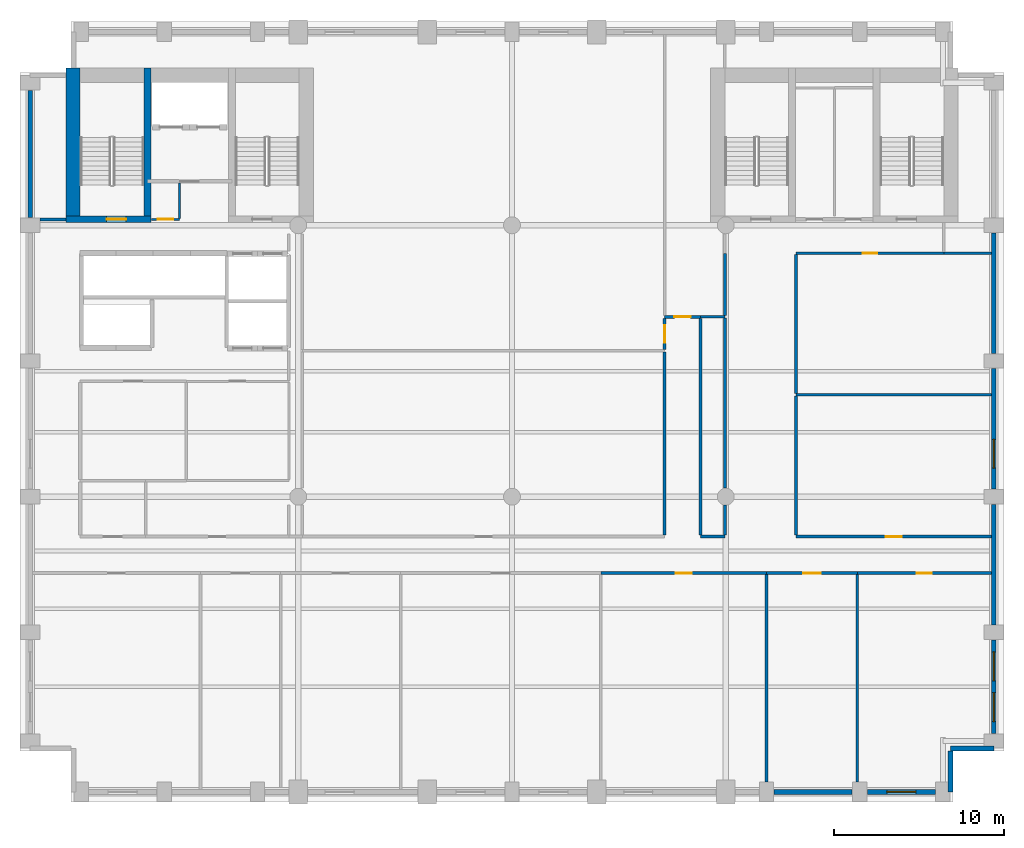
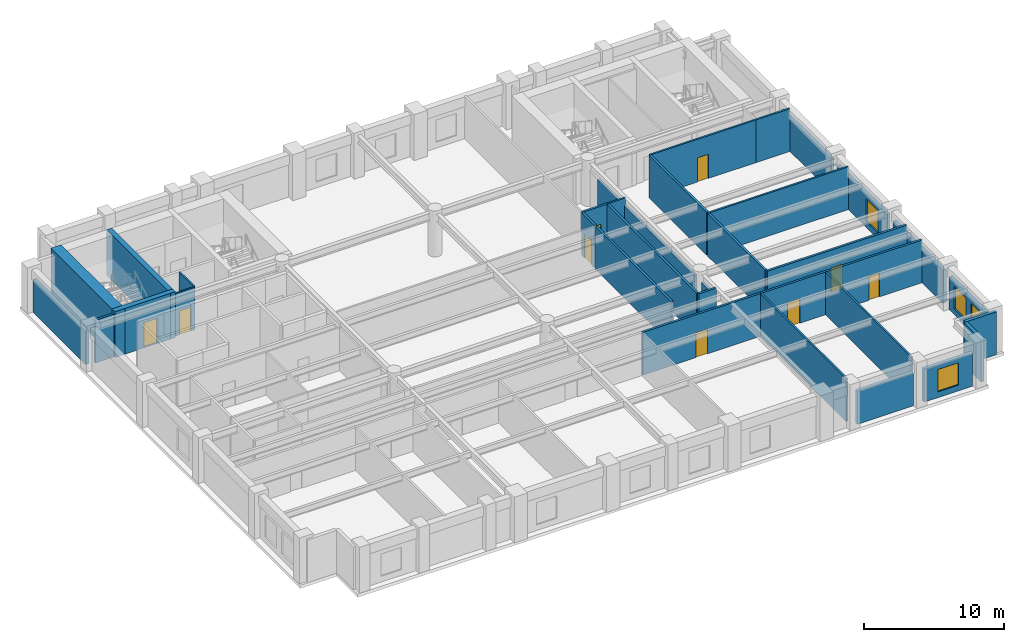
# One storey, part 4 of 8: 35 walls, 9 doors, 4 windows, 13 openings.
"""IFC4 building model written with IfcOpenShell, lengths in metres."""

from ifc_helpers import new_model, si_unit, direction, frame, frame_2d, origin, place, context, subcontext, project, spatial, rectangle, extrude, material, layer, layer_set, type_object, element, fill, save


model = new_model("IFC4")

# Units and contexts
model_context = context("Model", 3, precision=1e-05, world=origin(), true_north=direction((0.0, 1.0)))
body_context = subcontext(model_context, "Body", "Model", "MODEL_VIEW")
ifc_project = project(units=[si_unit("LENGTHUNIT", "METRE"), si_unit("AREAUNIT", "SQUARE_METRE"), si_unit("VOLUMEUNIT", "CUBIC_METRE"), si_unit("PLANEANGLEUNIT", "RADIAN"), si_unit("MASSUNIT", "GRAM", prefix="KILO")], contexts=[model_context])

# Site, building, storey
site_placement = place(None, origin())
site = spatial("IfcSite", under=ifc_project, at=site_placement, CompositionType="ELEMENT")
building_placement = place(site_placement, origin())
building = spatial("IfcBuilding", under=site, at=building_placement, Name="Sulina Concourse Tower", CompositionType="ELEMENT")
storey_placement = place(building_placement, frame((0.0, 0.0, 128.60009765625)))
storey = spatial("IfcBuildingStorey", under=building, at=storey_placement, Name="L31", CompositionType="ELEMENT", Elevation=128.60009765625)

# Walls
ifc_material_1 = material(Name="Gypsum board on steel stud", Category="steel")
ifc_layer_1 = layer(ifc_material_1, 0.14990234375)
ifc_layer_set_1 = layer_set([ifc_layer_1], Name="Gypsum board on steel stud")
wall_type_1 = type_object("IfcWallType", Name="Inter-Tenancy Acoustic Partition 150mm", PredefinedType="PARTITIONING", material=ifc_layer_set_1)
wall_1_placement = place(storey_placement, frame((45.75, 24.0, 0.0), z_axis=(0.0, 0.0, 1.0), x_axis=(1.0, 0.0, 0.0)))
element("IfcWall", 1, at=wall_1_placement, inside=storey, type_object=wall_type_1, Name="L31 interior partition 017", PredefinedType="PARTITIONING", context=body_context, shape_type="SweptSolid", body=[
    extrude(rectangle(XDim=11.510009765625, YDim=0.14990234375, at=frame_2d((5.7548828125, 0.0))), origin(), (0.0, 0.0, 1.0), 3.724853515625),
])
wall_2_placement = place(storey_placement, frame((40.10009765625, 28.60009765625, 0.0), z_axis=(0.0, 0.0, 1.0), x_axis=(1.0, 0.0, 0.0)))
element("IfcWall", 2, at=wall_2_placement, inside=storey, type_object=wall_type_1, Name="L31 interior partition 022", PredefinedType="PARTITIONING", context=body_context, shape_type="SweptSolid", body=[
    extrude(rectangle(XDim=1.449951171875, YDim=0.14990234375, at=frame_2d((0.72509765625, 0.0))), origin(), (0.0, 0.0, 1.0), 3.724853515625),
])

# Wall, opening, door
wall_3_placement = place(storey_placement, frame((45.75, 32.35009765625, 0.0), z_axis=(0.0, 0.0, 1.0), x_axis=(1.0, 0.0, 0.0)))
wall_3 = element("IfcWall", 3, at=wall_3_placement, inside=storey, type_object=wall_type_1, Name="L31 interior partition 023", PredefinedType="PARTITIONING", context=body_context, shape_type="SweptSolid", body=[
    extrude(rectangle(XDim=8.699951171875, YDim=0.14990234375, at=frame_2d((4.35009765625, 0.0))), origin(), (0.0, 0.0, 1.0), 3.724853515625),
])
opening_1_placement = place(wall_3_placement, frame((3.909912109375, 0.0, 0.0)))
opening_1 = element("IfcOpeningElement", 4, at=opening_1_placement, cuts=wall_3, Name="Opening DR-38", PredefinedType="OPENING", context=body_context, shape_type="SweptSolid", body=[
    extrude(rectangle(XDim=0.8798828125, YDim=2.10009765625, at=frame_2d((0.43994140625, 1.050048828125))), frame((0.0, 0.0849609375, 0.0), z_axis=(0.0, -1.0, 0.0), x_axis=(1.0, 0.0, 0.0)), (0.0, 0.0, 1.0), 0.169921875),
])
ifc_material_2 = material(Name="Galvanised steel acoustic fire leaf", Category="steel")
ifc_layer_2 = layer(ifc_material_2, 0.050048828125)
ifc_layer_set_2 = layer_set([ifc_layer_2], Name="Galvanised steel acoustic fire leaf")
door_type_1 = type_object("IfcDoorType", Name="Service Riser Fire Door 880x2100", OperationType="NOTDEFINED", PredefinedType="DOOR", material=ifc_layer_set_2)
door_1_placement = place(opening_1_placement, origin())
door_1 = element("IfcDoor", 5, at=door_1_placement, inside=storey, type_object=door_type_1, Name="L31 interior door L31-NE2", OperationType="SINGLE_SWING_LEFT", OverallHeight=2.10009765625, OverallWidth=0.8798828125, PredefinedType="DOOR", context=body_context, shape_type="SweptSolid", body=[
    extrude(rectangle(XDim=0.8798828125, YDim=2.10009765625, at=frame_2d((0.43994140625, 1.050048828125))), frame((0.0, 0.02490234375, 0.0), z_axis=(0.0, -1.0, 0.0), x_axis=(1.0, 0.0, 0.0)), (0.0, 0.0, 1.0), 0.050048828125),
])
fill(opening_1, door_1)

# Walls
wall_4_placement = place(storey_placement, frame((54.449951171875, 32.35009765625, 0.0), z_axis=(0.0, 0.0, 1.0), x_axis=(1.0, 0.0, 0.0)))
element("IfcWall", 6, at=wall_4_placement, inside=storey, type_object=wall_type_1, Name="L31 interior partition 024", PredefinedType="PARTITIONING", context=body_context, shape_type="SweptSolid", body=[
    extrude(rectangle(XDim=2.81005859375, YDim=0.14990234375, at=frame_2d((1.405029296875, 0.0))), origin(), (0.0, 0.0, 1.0), 3.724853515625),
])
for number, where, z_axis, x_axis, name in (
    (7, (44.0, 1.175048828125, 0.0), (0.0, 0.0, 1.0), (0.0, 1.0, 0.0), "L31 interior partition 054"),
    (8, (49.360107421875, 1.175048828125, 0.0), (0.0, 0.0, 1.0), (0.0, 1.0, 0.0), "L31 interior partition 058"),
):
    element("IfcWall", number, at=place(storey_placement, frame(where, z_axis=z_axis, x_axis=x_axis)), inside=storey, type_object=wall_type_1, Name=name, PredefinedType="PARTITIONING", context=body_context, shape_type="SweptSolid", body=[
        extrude(rectangle(XDim=12.23486328125, YDim=0.14990234375, at=frame_2d((6.117431640625, 0.0))), origin(), (0.0, 0.0, 1.0), 3.724853515625),
    ])

# Wall, opening, door
ifc_material_3 = material(Name="Gypsum board on steel stud", Category="steel")
ifc_layer_3 = layer(ifc_material_3, 0.179931640625)
ifc_layer_set_3 = layer_set([ifc_layer_3], Name="Gypsum board on steel stud")
wall_type_2 = type_object("IfcWallType", Name="Protected Corridor & Riser Partition 180mm", PredefinedType="PARTITIONING", material=ifc_layer_set_3)
wall_5_placement = place(storey_placement, frame((34.239990234375, 13.5, 0.0), z_axis=(0.0, 0.0, 1.0), x_axis=(1.0, 0.0, 0.0)))
wall_5 = element("IfcWall", 9, at=wall_5_placement, inside=storey, type_object=wall_type_2, Name="L31 interior partition 005", PredefinedType="PARTITIONING", context=body_context, shape_type="SweptSolid", body=[
    extrude(rectangle(XDim=9.760009765625, YDim=0.179931640625, at=frame_2d((4.8798828125, 0.0))), origin(), (0.0, 0.0, 1.0), 3.724853515625),
])
opening_2_placement = place(wall_5_placement, frame((4.405029296875, 0.0, 0.0)))
opening_2 = element("IfcOpeningElement", 10, at=opening_2_placement, cuts=wall_5, Name="Opening DR-19", PredefinedType="OPENING", context=body_context, shape_type="SweptSolid", body=[
    extrude(rectangle(XDim=0.949951171875, YDim=2.14990234375, at=frame_2d((0.47509765625, 1.074951171875))), frame((0.0, 0.099853515625, 0.0), z_axis=(0.0, -1.0, 0.0), x_axis=(1.0, 0.0, 0.0)), (0.0, 0.0, 1.0), 0.199951171875),
])
ifc_material_4 = material(Name="Oak-veneered acoustic timber leaf", Category="wood")
ifc_layer_4 = layer(ifc_material_4, 0.050048828125)
ifc_layer_set_4 = layer_set([ifc_layer_4], Name="Oak-veneered acoustic timber leaf")
door_type_2 = type_object("IfcDoorType", Name="Cellular Office & Meeting Door 950x2150", OperationType="NOTDEFINED", PredefinedType="DOOR", material=ifc_layer_set_4)
door_2_placement = place(opening_2_placement, origin())
door_2 = element("IfcDoor", 11, at=door_2_placement, inside=storey, type_object=door_type_2, Name="L31 interior door L31-S04", OperationType="SINGLE_SWING_LEFT", OverallHeight=2.14990234375, OverallWidth=0.949951171875, PredefinedType="DOOR", context=body_context, shape_type="SweptSolid", body=[
    extrude(rectangle(XDim=0.949951171875, YDim=2.14990234375, at=frame_2d((0.47509765625, 1.074951171875))), frame((0.0, 0.02490234375, 0.0), z_axis=(0.0, -1.0, 0.0), x_axis=(1.0, 0.0, 0.0)), (0.0, 0.0, 1.0), 0.050048828125),
])
fill(opening_2, door_2)

wall_6_placement = place(storey_placement, frame((44.0, 13.5, 0.0), z_axis=(0.0, 0.0, 1.0), x_axis=(1.0, 0.0, 0.0)))
wall_6 = element("IfcWall", 12, at=wall_6_placement, inside=storey, type_object=wall_type_2, Name="L31 interior partition 006", PredefinedType="PARTITIONING", context=body_context, shape_type="SweptSolid", body=[
    extrude(rectangle(XDim=5.360107421875, YDim=0.179931640625, at=frame_2d((2.68017578125, 0.0))), origin(), (0.0, 0.0, 1.0), 3.724853515625),
])
opening_3_placement = place(wall_6_placement, frame((2.155029296875, 0.0, 0.0)))
opening_3 = element("IfcOpeningElement", 13, at=opening_3_placement, cuts=wall_6, Name="Opening DR-37", PredefinedType="OPENING", context=body_context, shape_type="SweptSolid", body=[
    extrude(rectangle(XDim=1.050048828125, YDim=2.14990234375, at=frame_2d((0.52490234375, 1.074951171875))), frame((0.0, 0.099853515625, 0.0), z_axis=(0.0, -1.0, 0.0), x_axis=(1.0, 0.0, 0.0)), (0.0, 0.0, 1.0), 0.199951171875),
])
ifc_material_5 = material(Name="Oak-veneered fire door leaf")
ifc_layer_5 = layer(ifc_material_5, 0.050048828125)
ifc_layer_set_5 = layer_set([ifc_layer_5], Name="Oak-veneered fire door leaf")
door_type_3 = type_object("IfcDoorType", Name="Tenant Suite Entrance Fire Door 1050x2150", OperationType="NOTDEFINED", PredefinedType="DOOR", material=ifc_layer_set_5)
door_3_placement = place(opening_3_placement, origin())
door_3 = element("IfcDoor", 14, at=door_3_placement, inside=storey, type_object=door_type_3, Name="L31 interior door L31-S05A", OperationType="SINGLE_SWING_RIGHT", OverallHeight=2.14990234375, OverallWidth=1.050048828125, PredefinedType="DOOR", context=body_context, shape_type="SweptSolid", body=[
    extrude(rectangle(XDim=1.050048828125, YDim=2.14990234375, at=frame_2d((0.52490234375, 1.074951171875))), frame((0.0, 0.02490234375, 0.0), z_axis=(0.0, -1.0, 0.0), x_axis=(1.0, 0.0, 0.0)), (0.0, 0.0, 1.0), 0.050048828125),
])
fill(opening_3, door_3)

wall_7_placement = place(storey_placement, frame((49.360107421875, 13.5, 0.0), z_axis=(0.0, 0.0, 1.0), x_axis=(1.0, 0.0, 0.0)))
wall_7 = element("IfcWall", 15, at=wall_7_placement, inside=storey, type_object=wall_type_2, Name="L31 interior partition 007", PredefinedType="PARTITIONING", context=body_context, shape_type="SweptSolid", body=[
    extrude(rectangle(XDim=7.89990234375, YDim=0.179931640625, at=frame_2d((3.949951171875, 0.0))), origin(), (0.0, 0.0, 1.0), 3.724853515625),
])
opening_4_placement = place(wall_7_placement, frame((3.510009765625, 0.0, 0.0)))
opening_4 = element("IfcOpeningElement", 16, at=opening_4_placement, cuts=wall_7, Name="Opening DR-38", PredefinedType="OPENING", context=body_context, shape_type="SweptSolid", body=[
    extrude(rectangle(XDim=0.8798828125, YDim=2.10009765625, at=frame_2d((0.43994140625, 1.050048828125))), frame((0.0, 0.099853515625, 0.0), z_axis=(0.0, -1.0, 0.0), x_axis=(1.0, 0.0, 0.0)), (0.0, 0.0, 1.0), 0.199951171875),
])
door_4_placement = place(opening_4_placement, origin())
door_4 = element("IfcDoor", 17, at=door_4_placement, inside=storey, type_object=door_type_1, Name="L31 interior door L31-S05B", OperationType="SINGLE_SWING_LEFT", OverallHeight=2.10009765625, OverallWidth=0.8798828125, PredefinedType="DOOR", context=body_context, shape_type="SweptSolid", body=[
    extrude(rectangle(XDim=0.8798828125, YDim=2.10009765625, at=frame_2d((0.43994140625, 1.050048828125))), frame((0.0, 0.02490234375, 0.0), z_axis=(0.0, -1.0, 0.0), x_axis=(1.0, 0.0, 0.0)), (0.0, 0.0, 1.0), 0.050048828125),
])
fill(opening_4, door_4)

# Wall
wall_8_placement = place(storey_placement, frame((40.10009765625, 15.64990234375, 0.0), z_axis=(0.0, 0.0, 1.0), x_axis=(1.0, 0.0, 0.0)))
element("IfcWall", 18, at=wall_8_placement, inside=storey, type_object=wall_type_2, Name="L31 interior partition 012", PredefinedType="PARTITIONING", context=body_context, shape_type="SweptSolid", body=[
    extrude(rectangle(XDim=1.449951171875, YDim=0.179931640625, at=frame_2d((0.72509765625, 0.0))), origin(), (0.0, 0.0, 1.0), 3.724853515625),
])

# Wall, opening, door
wall_9_placement = place(storey_placement, frame((45.75, 15.64990234375, 0.0), z_axis=(0.0, 0.0, 1.0), x_axis=(1.0, 0.0, 0.0)))
wall_9 = element("IfcWall", 19, at=wall_9_placement, inside=storey, type_object=wall_type_2, Name="L31 interior partition 013", PredefinedType="PARTITIONING", context=body_context, shape_type="SweptSolid", body=[
    extrude(rectangle(XDim=11.510009765625, YDim=0.179931640625, at=frame_2d((5.7548828125, 0.0))), origin(), (0.0, 0.0, 1.0), 3.724853515625),
])
opening_5_placement = place(wall_9_placement, frame((5.280029296875, 0.0, 0.0)))
opening_5 = element("IfcOpeningElement", 20, at=opening_5_placement, cuts=wall_9, Name="Opening DR-19", PredefinedType="OPENING", context=body_context, shape_type="SweptSolid", body=[
    extrude(rectangle(XDim=0.949951171875, YDim=2.14990234375, at=frame_2d((0.47509765625, 1.074951171875))), frame((0.0, 0.099853515625, 0.0), z_axis=(0.0, -1.0, 0.0), x_axis=(1.0, 0.0, 0.0)), (0.0, 0.0, 1.0), 0.199951171875),
])
door_5_placement = place(opening_5_placement, origin())
door_5 = element("IfcDoor", 21, at=door_5_placement, inside=storey, type_object=door_type_2, Name="L31 interior door L31-NE1", OperationType="SINGLE_SWING_LEFT", OverallHeight=2.14990234375, OverallWidth=0.949951171875, PredefinedType="DOOR", context=body_context, shape_type="SweptSolid", body=[
    extrude(rectangle(XDim=0.949951171875, YDim=2.14990234375, at=frame_2d((0.47509765625, 1.074951171875))), frame((0.0, 0.02490234375, 0.0), z_axis=(0.0, -1.0, 0.0), x_axis=(1.0, 0.0, 0.0)), (0.0, 0.0, 1.0), 0.050048828125),
])
fill(opening_5, door_5)

wall_10_placement = place(storey_placement, frame((38.0, 28.60009765625, 0.0), z_axis=(0.0, 0.0, 1.0), x_axis=(1.0, 0.0, 0.0)))
wall_10 = element("IfcWall", 22, at=wall_10_placement, inside=storey, type_object=wall_type_2, Name="L31 interior partition 021", PredefinedType="PARTITIONING", context=body_context, shape_type="SweptSolid", body=[
    extrude(rectangle(XDim=2.10009765625, YDim=0.179931640625, at=frame_2d((1.050048828125, 0.0))), origin(), (0.0, 0.0, 1.0), 3.724853515625),
])
opening_6_placement = place(wall_10_placement, frame((0.574951171875, 0.0, 0.0)))
opening_6 = element("IfcOpeningElement", 23, at=opening_6_placement, cuts=wall_10, Name="Opening DR-19", PredefinedType="OPENING", context=body_context, shape_type="SweptSolid", body=[
    extrude(rectangle(XDim=0.949951171875, YDim=2.14990234375, at=frame_2d((0.47509765625, 1.074951171875))), frame((0.0, 0.099853515625, 0.0), z_axis=(0.0, -1.0, 0.0), x_axis=(1.0, 0.0, 0.0)), (0.0, 0.0, 1.0), 0.199951171875),
])
door_6_placement = place(opening_6_placement, origin())
door_6 = element("IfcDoor", 24, at=door_6_placement, inside=storey, type_object=door_type_2, Name="L31 interior door L31-NC4", OperationType="SINGLE_SWING_RIGHT", OverallHeight=2.14990234375, OverallWidth=0.949951171875, PredefinedType="DOOR", context=body_context, shape_type="SweptSolid", body=[
    extrude(rectangle(XDim=0.949951171875, YDim=2.14990234375, at=frame_2d((0.47509765625, 1.074951171875))), frame((0.0, 0.02490234375, 0.0), z_axis=(0.0, -1.0, 0.0), x_axis=(1.0, 0.0, 0.0)), (0.0, 0.0, 1.0), 0.050048828125),
])
fill(opening_6, door_6)

# Walls
wall_11_placement = place(storey_placement, frame((1.175048828125, 34.35009765625, 0.0), z_axis=(0.0, 0.0, 1.0), x_axis=(1.0, 0.0, 0.0)))
element("IfcWall", 25, at=wall_11_placement, inside=storey, type_object=wall_type_2, Name="L31 interior partition 025", PredefinedType="PARTITIONING", context=body_context, shape_type="SweptSolid", body=[
    extrude(rectangle(XDim=1.52490234375, YDim=0.179931640625, at=frame_2d((0.762451171875, 0.0))), origin(), (0.0, 0.0, 1.0), 3.724853515625),
])
wall_12_placement = place(storey_placement, frame((38.0, 15.739990234375, 0.0), z_axis=(0.0, 0.0, 1.0), x_axis=(0.0, 1.0, 0.0)))
element("IfcWall", 26, at=wall_12_placement, inside=storey, type_object=wall_type_2, Name="L31 interior partition 045", PredefinedType="PARTITIONING", context=body_context, shape_type="SweptSolid", body=[
    extrude(rectangle(XDim=10.784912109375, YDim=0.179931640625, at=frame_2d((5.392578125, 0.0))), origin(), (0.0, 0.0, 1.0), 3.724853515625),
])

# Wall, opening, door
wall_13_placement = place(storey_placement, frame((38.0, 26.675048828125, 0.0), z_axis=(0.0, 0.0, 1.0), x_axis=(0.0, 1.0, 0.0)))
wall_13 = element("IfcWall", 27, at=wall_13_placement, inside=storey, type_object=wall_type_2, Name="L31 interior partition 046", PredefinedType="PARTITIONING", context=body_context, shape_type="SweptSolid", body=[
    extrude(rectangle(XDim=1.8349609375, YDim=0.179931640625, at=frame_2d((0.91748046875, 0.0))), origin(), (0.0, 0.0, 1.0), 3.724853515625),
])
opening_7_placement = place(wall_13_placement, frame((0.392578125, 0.0, 0.0)))
opening_7 = element("IfcOpeningElement", 28, at=opening_7_placement, cuts=wall_13, Name="Opening DR-37", PredefinedType="OPENING", context=body_context, shape_type="SweptSolid", body=[
    extrude(rectangle(XDim=1.050048828125, YDim=2.14990234375, at=frame_2d((0.52490234375, 1.074951171875))), frame((0.0, 0.099853515625, 0.0), z_axis=(0.0, -1.0, 0.0), x_axis=(1.0, 0.0, 0.0)), (0.0, 0.0, 1.0), 0.199951171875),
])
door_7_placement = place(opening_7_placement, origin())
door_7 = element("IfcDoor", 29, at=door_7_placement, inside=storey, type_object=door_type_3, Name="L31 interior door L31-NC2", OperationType="SINGLE_SWING_LEFT", OverallHeight=2.14990234375, OverallWidth=1.050048828125, PredefinedType="DOOR", context=body_context, shape_type="SweptSolid", body=[
    extrude(rectangle(XDim=1.050048828125, YDim=2.14990234375, at=frame_2d((0.52490234375, 1.074951171875))), frame((0.0, 0.02490234375, 0.0), z_axis=(0.0, -1.0, 0.0), x_axis=(1.0, 0.0, 0.0)), (0.0, 0.0, 1.0), 0.050048828125),
])
fill(opening_7, door_7)

# Walls
wall_14_placement = place(storey_placement, frame((40.10009765625, 15.739990234375, 0.0), z_axis=(0.0, 0.0, 1.0), x_axis=(0.0, 1.0, 0.0)))
element("IfcWall", 30, at=wall_14_placement, inside=storey, type_object=wall_type_2, Name="L31 interior partition 048", PredefinedType="PARTITIONING", context=body_context, shape_type="SweptSolid", body=[
    extrude(rectangle(XDim=12.77001953125, YDim=0.179931640625, at=frame_2d((6.385009765625, 0.0))), origin(), (0.0, 0.0, 1.0), 3.724853515625),
])
wall_15_placement = place(storey_placement, frame((41.550048828125, 15.739990234375, 0.0), z_axis=(0.0, 0.0, 1.0), x_axis=(0.0, 1.0, 0.0)))
element("IfcWall", 31, at=wall_15_placement, inside=storey, type_object=wall_type_2, Name="L31 interior partition 049", PredefinedType="PARTITIONING", context=body_context, shape_type="SweptSolid", body=[
    extrude(rectangle(XDim=1.760009765625, YDim=0.179931640625, at=frame_2d((0.8798828125, 0.0))), origin(), (0.0, 0.0, 1.0), 3.06982421875),
])
wall_16_placement = place(storey_placement, frame((41.550048828125, 18.5, 0.0), z_axis=(0.0, 0.0, 1.0), x_axis=(0.0, 1.0, 0.0)))
element("IfcWall", 32, at=wall_16_placement, inside=storey, type_object=wall_type_2, Name="L31 interior partition 050", PredefinedType="PARTITIONING", context=body_context, shape_type="SweptSolid", body=[
    extrude(rectangle(XDim=10.02490234375, YDim=0.179931640625, at=frame_2d((5.012451171875, 0.0))), origin(), (0.0, 0.0, 1.0), 3.06982421875),
])
wall_17_placement = place(storey_placement, frame((41.550048828125, 28.675048828125, 0.0), z_axis=(0.0, 0.0, 1.0), x_axis=(0.0, 1.0, 0.0)))
element("IfcWall", 33, at=wall_17_placement, inside=storey, type_object=wall_type_2, Name="L31 interior partition 051", PredefinedType="PARTITIONING", context=body_context, shape_type="SweptSolid", body=[
    extrude(rectangle(XDim=3.675048828125, YDim=0.179931640625, at=frame_2d((1.83740234375, 0.0))), origin(), (0.0, 0.0, 1.0), 3.06982421875),
])
wall_18_placement = place(storey_placement, frame((45.75, 15.739990234375, 0.0), z_axis=(0.0, 0.0, 1.0), x_axis=(0.0, 1.0, 0.0)))
element("IfcWall", 34, at=wall_18_placement, inside=storey, type_object=wall_type_2, Name="L31 interior partition 055", PredefinedType="PARTITIONING", context=body_context, shape_type="SweptSolid", body=[
    extrude(rectangle(XDim=8.18505859375, YDim=0.179931640625, at=frame_2d((4.092529296875, 0.0))), origin(), (0.0, 0.0, 1.0), 3.724853515625),
])
wall_19_placement = place(storey_placement, frame((45.75, 24.074951171875, 0.0), z_axis=(0.0, 0.0, 1.0), x_axis=(0.0, 1.0, 0.0)))
element("IfcWall", 35, at=wall_19_placement, inside=storey, type_object=wall_type_2, Name="L31 interior partition 056", PredefinedType="PARTITIONING", context=body_context, shape_type="SweptSolid", body=[
    extrude(rectangle(XDim=8.199951171875, YDim=0.179931640625, at=frame_2d((4.10009765625, 0.0))), origin(), (0.0, 0.0, 1.0), 3.724853515625),
])

# Wall, opening, door
ifc_material_6 = material(Name="Concrete C60/75", Category="concrete")
ifc_layer_6 = layer(ifc_material_6, 0.39990234375)
ifc_layer_set_6 = layer_set([ifc_layer_6], Name="Concrete C60/75")
wall_type_3 = type_object("IfcWallType", Name="Protected Stair Core Shear Wall 400mm", PredefinedType="SHEAR", material=ifc_layer_set_6)
wall_20_placement = place(storey_placement, frame((2.699951171875, 34.35009765625, 0.0), z_axis=(0.0, 0.0, 1.0), x_axis=(1.0, 0.0, 0.0)))
wall_20 = element("IfcWall", 36, at=wall_20_placement, inside=storey, type_object=wall_type_3, Name="L31 west core shear wall CW-WS1", PredefinedType="SHEAR", context=body_context, shape_type="SweptSolid", body=[
    extrude(rectangle(XDim=5.010009765625, YDim=0.39990234375, at=frame_2d((2.5048828125, 0.0))), origin(), (0.0, 0.0, 1.0), 4.0),
])
opening_8_placement = place(wall_20_placement, frame((2.39990234375, 0.0, 0.0)))
opening_8 = element("IfcOpeningElement", 37, at=opening_8_placement, cuts=wall_20, Name="Opening DR-60", PredefinedType="OPENING", context=body_context, shape_type="SweptSolid", body=[
    extrude(rectangle(XDim=1.14990234375, YDim=2.199951171875, at=frame_2d((0.574951171875, 1.10009765625))), frame((0.0, 0.2099609375, 0.0), z_axis=(0.0, -1.0, 0.0), x_axis=(1.0, 0.0, 0.0)), (0.0, 0.0, 1.0), 0.419921875),
])
ifc_material_7 = material(Name="Galvanised steel acoustic fire leaf", Category="steel")
ifc_layer_7 = layer(ifc_material_7, 0.054931640625)
ifc_layer_set_7 = layer_set([ifc_layer_7], Name="Galvanised steel acoustic fire leaf")
door_type_4 = type_object("IfcDoorType", Name="Protected Exit Stair Fire Door 1150x2200", OperationType="NOTDEFINED", PredefinedType="DOOR", material=ifc_layer_set_7)
door_8_placement = place(opening_8_placement, origin())
door_8 = element("IfcDoor", 38, at=door_8_placement, inside=storey, type_object=door_type_4, Name="L31 stair ST-1 lobby fire door", OperationType="SINGLE_SWING_RIGHT", OverallHeight=2.199951171875, OverallWidth=1.14990234375, PredefinedType="DOOR", context=body_context, shape_type="SweptSolid", body=[
    extrude(rectangle(XDim=1.14990234375, YDim=2.199951171875, at=frame_2d((0.574951171875, 1.10009765625))), frame((0.0, 0.02490234375, 0.0), z_axis=(0.0, -1.0, 0.0), x_axis=(1.0, 0.0, 0.0)), (0.0, 0.0, 1.0), 0.050048828125),
])
fill(opening_8, door_8)

# Walls
wall_21_placement = place(storey_placement, frame((7.510009765625, 34.14990234375, 0.0), z_axis=(0.0, 0.0, 1.0), x_axis=(0.0, 1.0, 0.0)))
element("IfcWall", 39, at=wall_21_placement, inside=storey, type_object=wall_type_3, Name="L31 west core shear wall SW-ST1", PredefinedType="SHEAR", context=body_context, shape_type="SweptSolid", body=[
    extrude(rectangle(XDim=9.130126953125, YDim=0.39990234375, at=frame_2d((4.56494140625, 0.0))), origin(), (0.0, 0.0, 1.0), 4.0),
])
ifc_material_8 = material(Name="Concrete C60/75", Category="concrete")
ifc_layer_8 = layer(ifc_material_8, 0.85009765625)
ifc_layer_set_8 = layer_set([ifc_layer_8], Name="Concrete C60/75")
wall_type_4 = type_object("IfcWallType", Name="Rear Core Shear Wall 850mm", PredefinedType="SHEAR", material=ifc_layer_set_8)
wall_22_placement = place(storey_placement, frame((3.125, 34.14990234375, 0.0), z_axis=(0.0, 0.0, 1.0), x_axis=(0.0, 1.0, 0.0)))
element("IfcWall", 40, at=wall_22_placement, inside=storey, type_object=wall_type_4, Name="L31 west core shear wall CW-WW", PredefinedType="SHEAR", context=body_context, shape_type="SweptSolid", body=[
    extrude(rectangle(XDim=9.130126953125, YDim=0.85009765625, at=frame_2d((4.56494140625, 0.0))), origin(), (0.0, 0.0, 1.0), 4.0),
])
ifc_material_9 = material(Name="Precast concrete C50/60", Category="concrete")
ifc_layer_9 = layer(ifc_material_9, 0.280029296875)
ifc_layer_set_9 = layer_set([ifc_layer_9], Name="Precast concrete C50/60")
wall_type_5 = type_object("IfcWallType", Name="Typical Precast Masonry-Frame Facade Wall 280mm", PredefinedType="SOLIDWALL", material=ifc_layer_set_9)
wall_23_placement = place(storey_placement, frame((49.054931640625, 0.60009765625, 0.0), z_axis=(0.0, 0.0, 1.0), x_axis=(-1.0, 0.0, 0.0)))
element("IfcWall", 41, at=wall_23_placement, inside=storey, type_object=wall_type_5, Name="L31 exterior precast wall S9", PredefinedType="SOLIDWALL", context=body_context, shape_type="SweptSolid", body=[
    extrude(rectangle(XDim=4.60986328125, YDim=0.280029296875, at=frame_2d((2.304931640625, 0.0))), origin(), (0.0, 0.0, 1.0), 2.875),
])

# Wall, opening, window
wall_24_placement = place(storey_placement, frame((53.955078125, 0.60009765625, 0.0), z_axis=(0.0, 0.0, 1.0), x_axis=(-1.0, 0.0, 0.0)))
wall_24 = element("IfcWall", 42, at=wall_24_placement, inside=storey, type_object=wall_type_5, Name="L31 exterior precast wall S10", PredefinedType="SOLIDWALL", context=body_context, shape_type="SweptSolid", body=[
    extrude(rectangle(XDim=4.010009765625, YDim=0.280029296875, at=frame_2d((2.0048828125, 0.0))), origin(), (0.0, 0.0, 1.0), 2.875),
])
opening_9_placement = place(wall_24_placement, frame((1.155029296875, 0.0, 0.5)))
opening_9 = element("IfcOpeningElement", 43, at=opening_9_placement, cuts=wall_24, Name="Opening WN-66", PredefinedType="OPENING", context=body_context, shape_type="SweptSolid", body=[
    extrude(rectangle(XDim=1.699951171875, YDim=1.949951171875, at=frame_2d((0.85009765625, 0.97509765625))), frame((0.0, 0.14990234375, 0.0), z_axis=(0.0, -1.0, 0.0), x_axis=(1.0, 0.0, 0.0)), (0.0, 0.0, 1.0), 0.300048828125),
])
ifc_material_10 = material(Name="Low-E solar double glazing in bronze aluminium", Category="aluminium")
window_type = type_object("IfcWindowType", Name="Recessed Spandrel Window 1700x1950", PartitioningType="SINGLE_PANEL", PredefinedType="WINDOW", material=ifc_material_10)
window_1_placement = place(opening_9_placement, origin())
window_1 = element("IfcWindow", 44, at=window_1_placement, inside=storey, type_object=window_type, Name="L31 punched window S10-1", OverallHeight=1.949951171875, OverallWidth=1.699951171875, PartitioningType="SINGLE_PANEL", PredefinedType="WINDOW", context=body_context, shape_type="SweptSolid", body=[
    extrude(rectangle(XDim=1.699951171875, YDim=1.949951171875, at=frame_2d((0.85009765625, 0.97509765625))), frame((0.0, 0.030029296875, 0.0), z_axis=(0.0, -1.0, 0.0), x_axis=(1.0, 0.0, 0.0)), (0.0, 0.0, 1.0), 0.06005859375),
])
fill(opening_9, window_1)

# Wall
wall_25_placement = place(storey_placement, frame((0.60009765625, 34.445068359375, 0.0), z_axis=(0.0, 0.0, 1.0), x_axis=(0.0, 1.0, 0.0)))
element("IfcWall", 45, at=wall_25_placement, inside=storey, type_object=wall_type_5, Name="L31 exterior precast wall W5", PredefinedType="SOLIDWALL", context=body_context, shape_type="SweptSolid", body=[
    extrude(rectangle(XDim=7.510009765625, YDim=0.280029296875, at=frame_2d((3.7548828125, 0.0))), origin(), (0.0, 0.0, 1.0), 2.875),
])

# Wall, openings, windows
wall_26_placement = place(storey_placement, frame((57.39990234375, 9.554931640625, 0.0), z_axis=(0.0, 0.0, 1.0), x_axis=(0.0, -1.0, 0.0)))
wall_26 = element("IfcWall", 46, at=wall_26_placement, inside=storey, type_object=wall_type_5, Name="L31 exterior precast wall E1", PredefinedType="SOLIDWALL", context=body_context, shape_type="SweptSolid", body=[
    extrude(rectangle(XDim=5.510009765625, YDim=0.280029296875, at=frame_2d((2.7548828125, 0.0))), origin(), (0.0, 0.0, 1.0), 2.875),
])
opening_10_placement = place(wall_26_placement, frame((0.703369140625, 0.0, 0.5)))
opening_10 = element("IfcOpeningElement", 47, at=opening_10_placement, cuts=wall_26, Name="Opening WN-66", PredefinedType="OPENING", context=body_context, shape_type="SweptSolid", body=[
    extrude(rectangle(XDim=1.699951171875, YDim=1.949951171875, at=frame_2d((0.85009765625, 0.97509765625))), frame((0.0, 0.14990234375, 0.0), z_axis=(0.0, -1.0, 0.0), x_axis=(1.0, 0.0, 0.0)), (0.0, 0.0, 1.0), 0.300048828125),
])
opening_11_placement = place(wall_26_placement, frame((3.106689453125, 0.0, 0.5)))
opening_11 = element("IfcOpeningElement", 48, at=opening_11_placement, cuts=wall_26, Name="Opening WN-66", PredefinedType="OPENING", context=body_context, shape_type="SweptSolid", body=[
    extrude(rectangle(XDim=1.699951171875, YDim=1.949951171875, at=frame_2d((0.85009765625, 0.97509765625))), frame((0.0, 0.14990234375, 0.0), z_axis=(0.0, -1.0, 0.0), x_axis=(1.0, 0.0, 0.0)), (0.0, 0.0, 1.0), 0.300048828125),
])
window_2_placement = place(opening_10_placement, origin())
window_2 = element("IfcWindow", 49, at=window_2_placement, inside=storey, type_object=window_type, Name="L31 punched window E1-1", OverallHeight=1.949951171875, OverallWidth=1.699951171875, PartitioningType="SINGLE_PANEL", PredefinedType="WINDOW", context=body_context, shape_type="SweptSolid", body=[
    extrude(rectangle(XDim=1.699951171875, YDim=1.949951171875, at=frame_2d((0.85009765625, 0.97509765625))), frame((0.0, 0.030029296875, 0.0), z_axis=(0.0, -1.0, 0.0), x_axis=(1.0, 0.0, 0.0)), (0.0, 0.0, 1.0), 0.06005859375),
])
fill(opening_10, window_2)
window_3_placement = place(opening_11_placement, origin())
window_3 = element("IfcWindow", 50, at=window_3_placement, inside=storey, type_object=window_type, Name="L31 punched window E1-2", OverallHeight=1.949951171875, OverallWidth=1.699951171875, PartitioningType="SINGLE_PANEL", PredefinedType="WINDOW", context=body_context, shape_type="SweptSolid", body=[
    extrude(rectangle(XDim=1.699951171875, YDim=1.949951171875, at=frame_2d((0.85009765625, 0.97509765625))), frame((0.0, 0.030029296875, 0.0), z_axis=(0.0, -1.0, 0.0), x_axis=(1.0, 0.0, 0.0)), (0.0, 0.0, 1.0), 0.06005859375),
])
fill(opening_11, window_3)

# Wall
wall_27_placement = place(storey_placement, frame((57.39990234375, 17.554931640625, 0.0), z_axis=(0.0, 0.0, 1.0), x_axis=(0.0, -1.0, 0.0)))
element("IfcWall", 51, at=wall_27_placement, inside=storey, type_object=wall_type_5, Name="L31 exterior precast wall E2", PredefinedType="SOLIDWALL", context=body_context, shape_type="SweptSolid", body=[
    extrude(rectangle(XDim=7.10986328125, YDim=0.280029296875, at=frame_2d((3.554931640625, 0.0))), origin(), (0.0, 0.0, 1.0), 2.875),
])

# Wall, opening, window
wall_28_placement = place(storey_placement, frame((57.39990234375, 25.554931640625, 0.0), z_axis=(0.0, 0.0, 1.0), x_axis=(0.0, -1.0, 0.0)))
wall_28 = element("IfcWall", 52, at=wall_28_placement, inside=storey, type_object=wall_type_5, Name="L31 exterior precast wall E3", PredefinedType="SOLIDWALL", context=body_context, shape_type="SweptSolid", body=[
    extrude(rectangle(XDim=7.10986328125, YDim=0.280029296875, at=frame_2d((3.554931640625, 0.0))), origin(), (0.0, 0.0, 1.0), 2.875),
])
opening_12_placement = place(wall_28_placement, frame((4.17333984375, 0.0, 0.5)))
opening_12 = element("IfcOpeningElement", 53, at=opening_12_placement, cuts=wall_28, Name="Opening WN-66", PredefinedType="OPENING", context=body_context, shape_type="SweptSolid", body=[
    extrude(rectangle(XDim=1.699951171875, YDim=1.949951171875, at=frame_2d((0.85009765625, 0.97509765625))), frame((0.0, 0.14990234375, 0.0), z_axis=(0.0, -1.0, 0.0), x_axis=(1.0, 0.0, 0.0)), (0.0, 0.0, 1.0), 0.300048828125),
])
window_4_placement = place(opening_12_placement, origin())
window_4 = element("IfcWindow", 54, at=window_4_placement, inside=storey, type_object=window_type, Name="L31 punched window E3-1", OverallHeight=1.949951171875, OverallWidth=1.699951171875, PartitioningType="SINGLE_PANEL", PredefinedType="WINDOW", context=body_context, shape_type="SweptSolid", body=[
    extrude(rectangle(XDim=1.699951171875, YDim=1.949951171875, at=frame_2d((0.85009765625, 0.97509765625))), frame((0.0, 0.030029296875, 0.0), z_axis=(0.0, -1.0, 0.0), x_axis=(1.0, 0.0, 0.0)), (0.0, 0.0, 1.0), 0.06005859375),
])
fill(opening_12, window_4)

# Walls
wall_29_placement = place(storey_placement, frame((57.39990234375, 33.554931640625, 0.0), z_axis=(0.0, 0.0, 1.0), x_axis=(0.0, -1.0, 0.0)))
element("IfcWall", 55, at=wall_29_placement, inside=storey, type_object=wall_type_5, Name="L31 exterior precast wall E4", PredefinedType="SOLIDWALL", context=body_context, shape_type="SweptSolid", body=[
    extrude(rectangle(XDim=7.10986328125, YDim=0.280029296875, at=frame_2d((3.554931640625, 0.0))), origin(), (0.0, 0.0, 1.0), 2.875),
])
wall_30_placement = place(storey_placement, frame((57.39990234375, 3.155029296875, 0.0), z_axis=(0.0, 0.0, 1.0), x_axis=(-1.0, 0.0, 0.0)))
element("IfcWall", 56, at=wall_30_placement, inside=storey, type_object=wall_type_5, Name="L31 exterior precast wall CSE1", PredefinedType="SOLIDWALL", context=body_context, shape_type="SweptSolid", body=[
    extrude(rectangle(XDim=2.554931640625, YDim=0.280029296875, at=frame_2d((1.27734375, 0.0))), origin(), (0.0, 0.0, 1.0), 3.724853515625),
])
wall_31_placement = place(storey_placement, frame((54.844970703125, 3.010009765625, 0.0), z_axis=(0.0, 0.0, 1.0), x_axis=(0.0, -1.0, 0.0)))
element("IfcWall", 57, at=wall_31_placement, inside=storey, type_object=wall_type_5, Name="L31 exterior precast wall CSE2", PredefinedType="SOLIDWALL", context=body_context, shape_type="SweptSolid", body=[
    extrude(rectangle(XDim=2.409912109375, YDim=0.280029296875, at=frame_2d((1.205078125, 0.0))), origin(), (0.0, 0.0, 1.0), 3.724853515625),
])

# Wall, opening, door
ifc_material_11 = material(Name="Gypsum board on steel stud", Category="steel")
ifc_layer_10 = layer(ifc_material_11, 0.125)
ifc_layer_set_10 = layer_set([ifc_layer_10], Name="Gypsum board on steel stud")
wall_type_6 = type_object("IfcWallType", Name="Wet-Area Moisture-Resistant Partition 125mm", PredefinedType="PARTITIONING", material=ifc_layer_set_10)
wall_32_placement = place(storey_placement, frame((7.75, 34.35009765625, 0.0), z_axis=(0.0, 0.0, 1.0), x_axis=(1.0, 0.0, 0.0)))
wall_32 = element("IfcWall", 58, at=wall_32_placement, inside=storey, type_object=wall_type_6, Name="L31 interior partition 026", PredefinedType="PARTITIONING", context=body_context, shape_type="SweptSolid", body=[
    extrude(rectangle(XDim=1.64990234375, YDim=0.125, at=frame_2d((0.824951171875, 0.0))), origin(), (0.0, 0.0, 1.0), 3.724853515625),
])
opening_13_placement = place(wall_32_placement, frame((0.364990234375, 0.0, 0.0)))
opening_13 = element("IfcOpeningElement", 59, at=opening_13_placement, cuts=wall_32, Name="Opening DR-61", PredefinedType="OPENING", context=body_context, shape_type="SweptSolid", body=[
    extrude(rectangle(XDim=0.919921875, YDim=2.10009765625, at=frame_2d((0.4599609375, 1.050048828125))), frame((0.0, 0.072509765625, 0.0), z_axis=(0.0, -1.0, 0.0), x_axis=(1.0, 0.0, 0.0)), (0.0, 0.0, 1.0), 0.14501953125),
])
ifc_material_12 = material(Name="Oak-veneered fire door leaf")
ifc_layer_11 = layer(ifc_material_12, 0.050048828125)
ifc_layer_set_11 = layer_set([ifc_layer_11], Name="Oak-veneered fire door leaf")
door_type_5 = type_object("IfcDoorType", Name="Accessible WC Door 920x2100", OperationType="NOTDEFINED", PredefinedType="DOOR", material=ifc_layer_set_11)
door_9_placement = place(opening_13_placement, origin())
door_9 = element("IfcDoor", 60, at=door_9_placement, inside=storey, type_object=door_type_5, Name="L31 interior door L31-WC-ACC", OperationType="SINGLE_SWING_RIGHT", OverallHeight=2.10009765625, OverallWidth=0.919921875, PredefinedType="DOOR", context=body_context, shape_type="SweptSolid", body=[
    extrude(rectangle(XDim=0.919921875, YDim=2.10009765625, at=frame_2d((0.4599609375, 1.050048828125))), frame((0.0, 0.02490234375, 0.0), z_axis=(0.0, -1.0, 0.0), x_axis=(1.0, 0.0, 0.0)), (0.0, 0.0, 1.0), 0.050048828125),
])
fill(opening_13, door_9)

# Wall
wall_33_placement = place(storey_placement, frame((9.39990234375, 34.41259765625, 0.0), z_axis=(0.0, 0.0, 1.0), x_axis=(0.0, 1.0, 0.0)))
element("IfcWall", 61, at=wall_33_placement, inside=storey, type_object=wall_type_6, Name="L31 interior partition 032", PredefinedType="PARTITIONING", context=body_context, shape_type="SweptSolid", body=[
    extrude(rectangle(XDim=2.077392578125, YDim=0.125, at=frame_2d((1.03857421875, 0.0))), origin(), (0.0, 0.0, 1.0), 3.724853515625),
])

save(model, "model.ifc")
